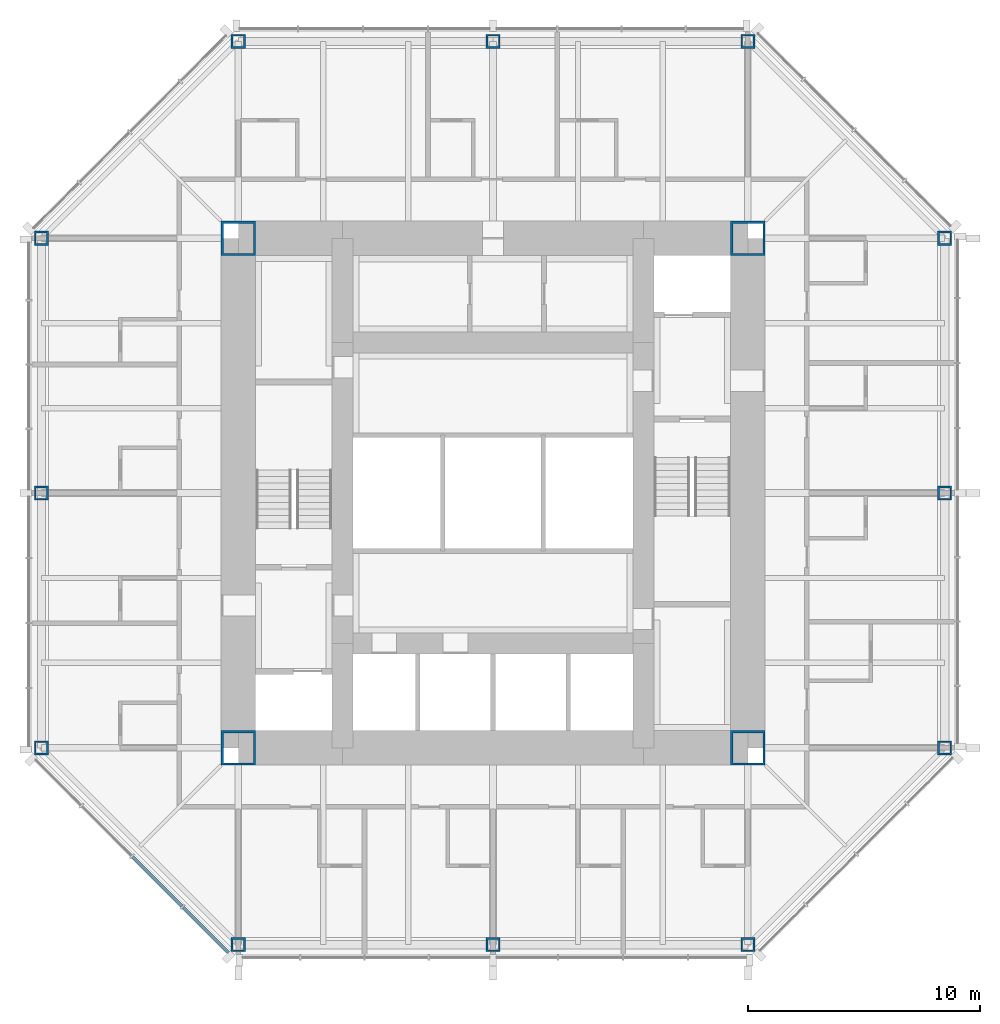
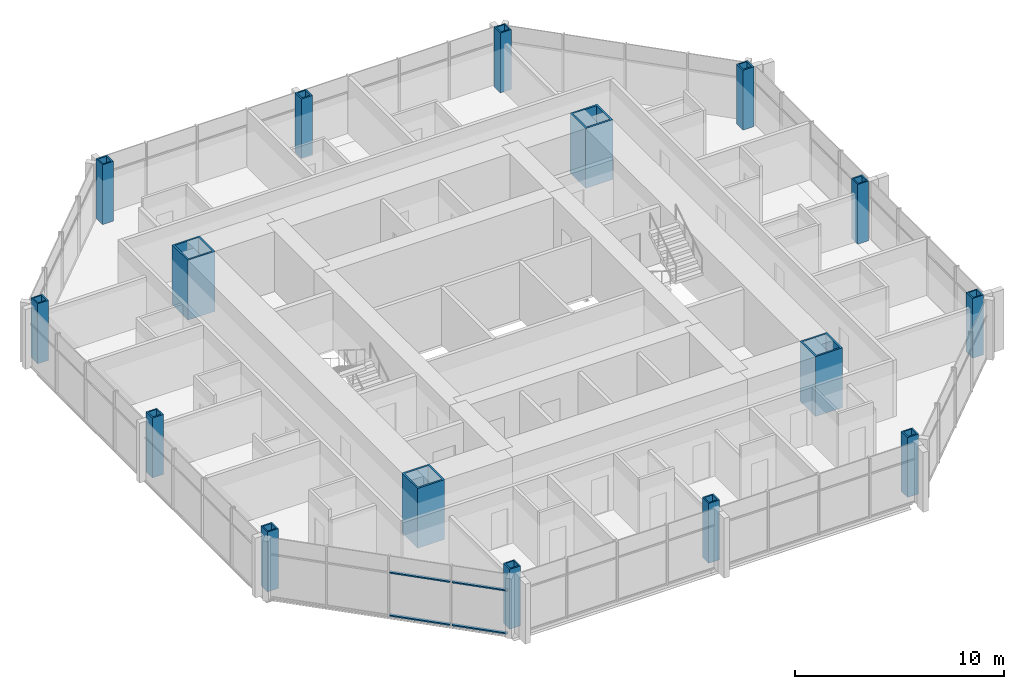
# One storey, part 1 of 12: 16 columns, 4 members, 1 element without a shape of its own.
"""IFC4 building model written with IfcOpenShell, lengths in metres."""

import ifcopenshell
import ifcopenshell.guid

model = None  # the IFC model being written
_history = None  # IfcOwnerHistory: only IFC2X3 demands one
_inside = {}  # id of a spatial element -> (the spatial element, [elements in it])
_under = {}  # id of a project, library or spatial element -> (it, [spatial elements below it])
_declared = {}  # id of a project -> (the project, [libraries it declares])
_typed = {}  # id of a type object -> (the type object, [elements of that type])
_made_of = {}  # id of a material, layer set ... -> (it, [elements and type objects made of it])


def new_model(schema):
    """Start an empty IFC model of exactly this schema.

    Asked for "IFC4X3", IfcOpenShell would pick the latest addendum, in which some entities
    have other attributes; the version numbers below select the first issue.
    IFC2X3 requires an IfcOwnerHistory on every rooted entity: one is made here for all.
    """
    global model, _history
    if schema == "IFC4X3":
        model = ifcopenshell.file(schema_version=(4, 3, 0, 0))
    else:
        model = ifcopenshell.file(schema=schema)
    _inside.clear()
    _under.clear()
    _declared.clear()
    _typed.clear()
    _made_of.clear()
    _history = None
    if model.schema == "IFC2X3":
        org = make("IfcOrganization", Name="unknown")
        user = make(
            "IfcPersonAndOrganization",
            ThePerson=make("IfcPerson", FamilyName="unknown"),
            TheOrganization=org,
        )
        app = make(
            "IfcApplication",
            ApplicationDeveloper=org,
            Version="unknown",
            ApplicationFullName="unknown",
            ApplicationIdentifier="unknown",
        )
        _history = make(
            "IfcOwnerHistory",
            OwningUser=user,
            OwningApplication=app,
            ChangeAction="ADDED",
            CreationDate=0,
        )
    return model


def make(cls, **values):
    """One entity of the class cls with the attributes given. An attribute that is None is left unset."""
    return model.create_entity(
        cls, **{name: value for name, value in values.items() if value is not None}
    )


def rooted(cls, **values):
    """An entity with a GlobalId (a new one), such as an element, a storey or a relation."""
    return make(cls, GlobalId=ifcopenshell.guid.new(), OwnerHistory=_history, **values)


def si_unit(unit_type, name, prefix=None):
    """IfcSIUnit, for example si_unit("LENGTHUNIT", "METRE", prefix="MILLI")."""
    return make("IfcSIUnit", UnitType=unit_type, Prefix=prefix, Name=name)


def assignment(units):
    """IfcUnitAssignment: the units of a project."""
    return None if units is None else make("IfcUnitAssignment", Units=units)


def point(xyz):
    """IfcCartesianPoint."""
    return None if xyz is None else make("IfcCartesianPoint", Coordinates=xyz)


def direction(xyz):
    """IfcDirection."""
    return None if xyz is None else make("IfcDirection", DirectionRatios=xyz)


def frame(location, z_axis=None, x_axis=None):
    """IfcAxis2Placement3D, a coordinate frame: its origin and axes. An axis left out is left unset."""
    return make(
        "IfcAxis2Placement3D",
        Location=point(location),
        Axis=direction(z_axis),
        RefDirection=direction(x_axis),
    )


def frame_2d(location, x_axis=None):
    """IfcAxis2Placement2D, a coordinate frame in the plane: its origin and x axis."""
    return make(
        "IfcAxis2Placement2D", Location=point(location), RefDirection=direction(x_axis)
    )


def origin():
    """The frame at (0, 0, 0) with its axes left unset."""
    return frame((0.0, 0.0, 0.0))


def origin_2d():
    """The frame at (0, 0) in the plane with its x axis left unset."""
    return frame_2d((0.0, 0.0))


def place(relative_to, where):
    """IfcLocalPlacement: puts the frame where relative to a parent placement (None: the world)."""
    return make(
        "IfcLocalPlacement", PlacementRelTo=relative_to, RelativePlacement=where
    )


def context(
    kind, dimensions, precision=None, world=None, true_north=None, identifier=None
):
    """IfcGeometricRepresentationContext, for example the 3D "Model" context."""
    return make(
        "IfcGeometricRepresentationContext",
        ContextIdentifier=identifier,
        ContextType=kind,
        CoordinateSpaceDimension=dimensions,
        Precision=precision,
        WorldCoordinateSystem=world,
        TrueNorth=true_north,
    )


def subcontext(parent, identifier, kind, view, scale=None):
    """IfcGeometricRepresentationSubContext, for example "Body" below "Model"."""
    return make(
        "IfcGeometricRepresentationSubContext",
        ContextIdentifier=identifier,
        ContextType=kind,
        ParentContext=parent,
        TargetScale=scale,
        TargetView=view,
    )


def project(units=None, contexts=None):
    """IfcProject with its units and contexts."""
    return rooted(
        "IfcProject",
        Name="project",
        RepresentationContexts=contexts,
        UnitsInContext=assignment(units),
    )


def spatial(cls, under=None, at=None, **own):
    """A site, building, storey or space (cls), placed at a placement, below another one or the project."""
    s = rooted(cls, ObjectPlacement=at, **own)
    if under is not None:
        _under.setdefault(under.id(), (under, []))[1].append(s)
    return s


def profile(cls, at=None, kind="AREA", **sizes):
    """A parametric profile (cls). Its sizes go by their IFC names, for example OverallWidth=200.0."""
    return make(cls, ProfileType=kind, Position=at, **sizes)


def rectangle(**sizes):
    """IfcRectangleProfileDef."""
    return profile("IfcRectangleProfileDef", **sizes)


def hollow_rectangle(**sizes):
    """IfcRectangleHollowProfileDef."""
    return profile("IfcRectangleHollowProfileDef", **sizes)


def extrude(swept, where, along, depth):
    """IfcExtrudedAreaSolid: the profile swept, set in the frame where, extruded along a direction by depth."""
    return make(
        "IfcExtrudedAreaSolid",
        SweptArea=swept,
        Position=where,
        ExtrudedDirection=direction(along),
        Depth=depth,
    )


def shape(context_of_items, identifier, shape_type, items):
    """IfcShapeRepresentation: the items that make up one representation, for example the "Body"."""
    return make(
        "IfcShapeRepresentation",
        ContextOfItems=context_of_items,
        RepresentationIdentifier=identifier,
        RepresentationType=shape_type,
        Items=items,
    )


def material(Name=None, Category=None):
    """IfcMaterial."""
    return make("IfcMaterial", Name=Name, Category=Category)


def material_profile(
    of_material, cross_section, Name=None, Category=None, Priority=None
):
    """IfcMaterialProfile: a cross section and its material."""
    return make(
        "IfcMaterialProfile",
        Name=Name,
        Material=of_material,
        Profile=cross_section,
        Priority=Priority,
        Category=Category,
    )


def profile_set(profiles, Name=None, composite=None):
    """IfcMaterialProfileSet."""
    return make(
        "IfcMaterialProfileSet",
        Name=Name,
        MaterialProfiles=profiles,
        CompositeProfile=composite,
    )


def made_of(thing, what):
    """Note that an element or type object is made of a material, layer set ...; save() writes the relation."""
    if what is not None:
        _made_of.setdefault(what.id(), (what, []))[1].append(thing)
    return thing


def type_object(cls, material=None, **own):
    """A type object (cls), such as IfcWallType, which elements share."""
    return made_of(rooted(cls, **own), material)


def element(
    cls,
    number,
    at=None,
    inside=None,
    cuts=None,
    type_object=None,
    material=None,
    context=None,
    identifier="Body",
    shape_type=None,
    held_by="IfcProductDefinitionShape",
    body=None,
    shapes=None,
    **own,
):
    """One element of the class cls, such as IfcWall. Its Tag is "e" and its number.

    at: its placement. inside: the storey or other place that contains it. cuts: it is an
    opening in that element (IfcRelVoidsElement). A single representation is given by context,
    identifier, shape_type and body (its items); several are given by shapes. held_by: the class
    of the entity that holds the representations. save() writes the other relations.
    """
    e = rooted(cls, Tag="e%d" % number, ObjectPlacement=at, **own)
    if body is not None:
        shapes = [shape(context, identifier, shape_type, body)]
    if shapes is not None:
        e.Representation = make(held_by, Representations=shapes)
    if inside is not None:
        _inside.setdefault(inside.id(), (inside, []))[1].append(e)
    if cuts is not None:
        rooted(
            "IfcRelVoidsElement", RelatingBuildingElement=cuts, RelatedOpeningElement=e
        )
    if type_object is not None:
        _typed.setdefault(type_object.id(), (type_object, []))[1].append(e)
    return made_of(e, material)


def aggregate(whole, parts):
    """IfcRelAggregates: a whole, such as a stair, and the parts it consists of."""
    return rooted("IfcRelAggregates", RelatingObject=whole, RelatedObjects=parts)


def save(model, path):
    """Write the relations noted so far, then the file.

    IfcRelAggregates (storeys below a building ...), IfcRelContainedInSpatialStructure (elements
    in a storey), IfcRelDefinesByType, IfcRelAssociatesMaterial and IfcRelDeclares: one each for
    every whole, place, type object, material and project.
    """
    for whole, parts in _under.values():
        aggregate(whole, parts)
    for where, things in _inside.values():
        rooted(
            "IfcRelContainedInSpatialStructure",
            RelatedElements=things,
            RelatingStructure=where,
        )
    for kind, things in _typed.values():
        rooted("IfcRelDefinesByType", RelatedObjects=things, RelatingType=kind)
    for what, things in _made_of.values():
        rooted("IfcRelAssociatesMaterial", RelatedObjects=things, RelatingMaterial=what)
    for by, libraries in _declared.values():
        rooted("IfcRelDeclares", RelatingContext=by, RelatedDefinitions=libraries)
    model.write(path)


model = new_model("IFC4")

# Units and contexts
model_context = context("Model", 3, precision=1e-05, world=origin(), true_north=direction((0.0, 1.0)))
body_context = subcontext(model_context, "Body", "Model", "MODEL_VIEW")
ifc_project = project(units=[si_unit("LENGTHUNIT", "METRE"), si_unit("AREAUNIT", "SQUARE_METRE"), si_unit("VOLUMEUNIT", "CUBIC_METRE"), si_unit("PLANEANGLEUNIT", "RADIAN"), si_unit("MASSUNIT", "GRAM", prefix="KILO")], contexts=[model_context])

# Site, building, storey
site_placement = place(None, origin())
site = spatial("IfcSite", under=ifc_project, at=site_placement, CompositionType="ELEMENT")
building_placement = place(site_placement, origin())
building = spatial("IfcBuilding", under=site, at=building_placement, Name="Trevanion Tower", CompositionType="ELEMENT")
storey_placement = place(building_placement, frame((0.0, 0.0, 201.199951171875)))
storey = spatial("IfcBuildingStorey", under=building, at=storey_placement, Name="L47", CompositionType="ELEMENT", Elevation=201.199951171875)

# Columns
ifc_material_1 = material(Name="Steel ASTM A572 Grade 50", Category="steel")
ifc_material_profile_1 = material_profile(ifc_material_1, hollow_rectangle(XDim=0.609619140625, YDim=0.609619140625, WallThickness=0.076171875, at=origin_2d()), Name="BOX24X24X3")
ifc_profile_set_1 = profile_set([ifc_material_profile_1], Name="Steel ASTM A572 Grade 50")
column_type_1 = type_object("IfcColumnType", Name="C5 BOX24X24X3", PredefinedType="COLUMN", material=ifc_profile_set_1)
for number, where, z_axis, x_axis, name in (
    (1, (-19.5, 0.0, 0.0), (0.0, 0.0, 1.0), (0.0, 1.0, 0.0), "C5 5/H L47"),
    (2, (-19.5, -11.0, 0.0), (0.0, 0.0, 1.0), (0.0, 1.0, 0.0), "C5 5/F L47"),
    (3, (-11.0, -19.5, 0.0), (0.0, 0.0, 1.0), (1.0, 0.0, 0.0), "C5 8/C L47"),
    (4, (0.0, -19.5, 0.0), (0.0, 0.0, 1.0), (1.0, 0.0, 0.0), "C5 10/C L47"),
    (5, (11.0, -19.5, 0.0), (0.0, 0.0, 1.0), (1.0, 0.0, 0.0), "C5 12/C L47"),
    (6, (19.5, -11.0, 0.0), (0.0, 0.0, 1.0), (0.0, 1.0, 0.0), "C5 15/F L47"),
    (7, (19.5, 0.0, 0.0), (0.0, 0.0, 1.0), (0.0, 1.0, 0.0), "C5 15/H L47"),
    (8, (19.5, 11.0, 0.0), (0.0, 0.0, 1.0), (0.0, 1.0, 0.0), "C5 15/K L47"),
    (9, (11.0, 19.5, 0.0), (0.0, 0.0, 1.0), (1.0, 0.0, 0.0), "C5 12/N L47"),
    (10, (0.0, 19.5, 0.0), (0.0, 0.0, 1.0), (1.0, 0.0, 0.0), "C5 10/N L47"),
    (11, (-11.0, 19.5, 0.0), (0.0, 0.0, 1.0), (1.0, 0.0, 0.0), "C5 8/N L47"),
    (12, (-19.5, 11.0, 0.0), (0.0, 0.0, 1.0), (0.0, 1.0, 0.0), "C5 5/K L47"),
):
    element("IfcColumn", number, at=place(storey_placement, frame(where, z_axis=z_axis, x_axis=x_axis)), inside=storey, type_object=column_type_1, Name=name, PredefinedType="COLUMN", context=body_context, shape_type="SweptSolid", body=[
        extrude(hollow_rectangle(XDim=0.609619140625, YDim=0.609619140625, WallThickness=0.076171875, at=origin_2d()), origin(), (0.0, 0.0, 1.0), 3.5),
    ])
ifc_material_2 = material(Name="Steel ASTM A572 Grade 50", Category="steel")
ifc_material_profile_2 = material_profile(ifc_material_2, hollow_rectangle(XDim=1.49853515625, YDim=1.49853515625, WallThickness=0.1015625, at=origin_2d()), Name="BOX59X59X4")
ifc_profile_set_2 = profile_set([ifc_material_profile_2], Name="Steel ASTM A572 Grade 50")
column_type_2 = type_object("IfcColumnType", Name="CB1 BOX59X59X4", PredefinedType="COLUMN", material=ifc_profile_set_2)
for number, where, z_axis, x_axis, name in (
    (13, (11.0, 11.0, 0.0), (0.0, 0.0, 1.0), (1.0, 0.0, 0.0), "CB1 NE L47"),
    (14, (-11.0, 11.0, 0.0), (0.0, 0.0, 1.0), (1.0, 0.0, 0.0), "CB1 NW L47"),
    (15, (-11.0, -11.0, 0.0), (0.0, 0.0, 1.0), (1.0, 0.0, 0.0), "CB1 SW L47"),
    (16, (11.0, -11.0, 0.0), (0.0, 0.0, 1.0), (1.0, 0.0, 0.0), "CB1 SE L47"),
):
    element("IfcColumn", number, at=place(storey_placement, frame(where, z_axis=z_axis, x_axis=x_axis)), inside=storey, type_object=column_type_2, Name=name, PredefinedType="COLUMN", context=body_context, shape_type="SweptSolid", body=[
        extrude(hollow_rectangle(XDim=1.49853515625, YDim=1.49853515625, WallThickness=0.1015625, at=origin_2d()), origin(), (0.0, 0.0, 1.0), 3.5),
    ])

# Curtain wall, members
ifc_material_3 = material(Name="Aluminium and glass", Category="aluminium")
curtain_wall_type = type_object("IfcCurtainWallType", Name="CW3 curtain wall", PredefinedType="USERDEFINED", material=ifc_material_3)
curtain_wall_placement = place(storey_placement, origin())
curtain_wall = element("IfcCurtainWall", 17, at=curtain_wall_placement, inside=storey, type_object=curtain_wall_type, Name="CW3 L47 5", ObjectType="UNITISED CURTAIN WALL", PredefinedType="USERDEFINED")
ifc_material_4 = material(Name="Aluminium extrusion, anodised bronze", Category="aluminium")
ifc_material_profile_3 = material_profile(ifc_material_4, rectangle(XDim=0.14990234375, YDim=0.074951171875, at=origin_2d()), Name="CW3 transom")
ifc_profile_set_3 = profile_set([ifc_material_profile_3], Name="Aluminium extrusion, anodised bronze")
member_type = type_object("IfcMemberType", Name="CW3 transom", PredefinedType="USERDEFINED", material=ifc_profile_set_3)
member_1_placement = place(storey_placement, frame((-15.56640625, -15.71142578125, -0.15234375), z_axis=(0.707106781187, -0.707106781187, 0.0), x_axis=(0.707106781187, 0.707106781187, 0.0)))
member_1 = element("IfcMember", 18, at=member_1_placement, type_object=member_type, Name="CW3 transom 3.1", ObjectType="TRANSOM", PredefinedType="USERDEFINED", context=body_context, shape_type="SweptSolid", body=[
    extrude(rectangle(XDim=0.14990234375, YDim=0.074951171875, at=origin_2d()), origin(), (0.0, 0.0, 1.0), 3.011474609375),
])
member_2_placement = place(storey_placement, frame((-15.56640625, -15.71142578125, 2.360107421875), z_axis=(0.707106781187, -0.707106781187, 0.0), x_axis=(0.707106781187, 0.707106781187, 0.0)))
member_2 = element("IfcMember", 19, at=member_2_placement, type_object=member_type, Name="CW3 transom 3.2", ObjectType="TRANSOM", PredefinedType="USERDEFINED", context=body_context, shape_type="SweptSolid", body=[
    extrude(rectangle(XDim=0.14990234375, YDim=0.074951171875, at=origin_2d()), origin(), (0.0, 0.0, 1.0), 3.011474609375),
])
member_3_placement = place(storey_placement, frame((-13.3837890625, -17.89404296875, -0.15234375), z_axis=(0.707106781187, -0.707106781187, 0.0), x_axis=(0.707106781187, 0.707106781187, 0.0)))
member_3 = element("IfcMember", 20, at=member_3_placement, type_object=member_type, Name="CW3 transom 4.1", ObjectType="TRANSOM", PredefinedType="USERDEFINED", context=body_context, shape_type="SweptSolid", body=[
    extrude(rectangle(XDim=0.14990234375, YDim=0.074951171875, at=origin_2d()), origin(), (0.0, 0.0, 1.0), 2.7490234375),
])
member_4_placement = place(storey_placement, frame((-13.3837890625, -17.89404296875, 2.360107421875), z_axis=(0.707106781187, -0.707106781187, 0.0), x_axis=(0.707106781187, 0.707106781187, 0.0)))
member_4 = element("IfcMember", 21, at=member_4_placement, type_object=member_type, Name="CW3 transom 4.2", ObjectType="TRANSOM", PredefinedType="USERDEFINED", context=body_context, shape_type="SweptSolid", body=[
    extrude(rectangle(XDim=0.14990234375, YDim=0.074951171875, at=origin_2d()), origin(), (0.0, 0.0, 1.0), 2.7490234375),
])
aggregate(curtain_wall, [member_1, member_2, member_3, member_4])

save(model, "model.ifc")
